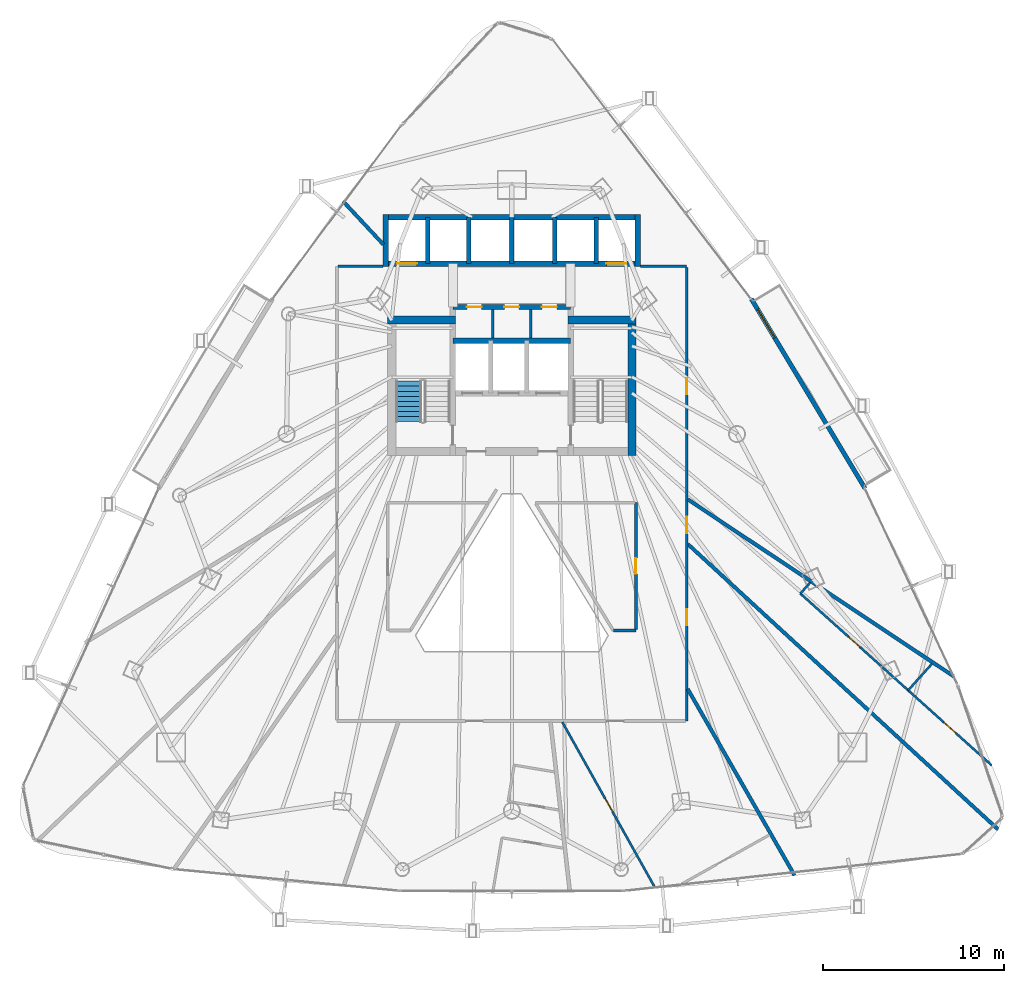
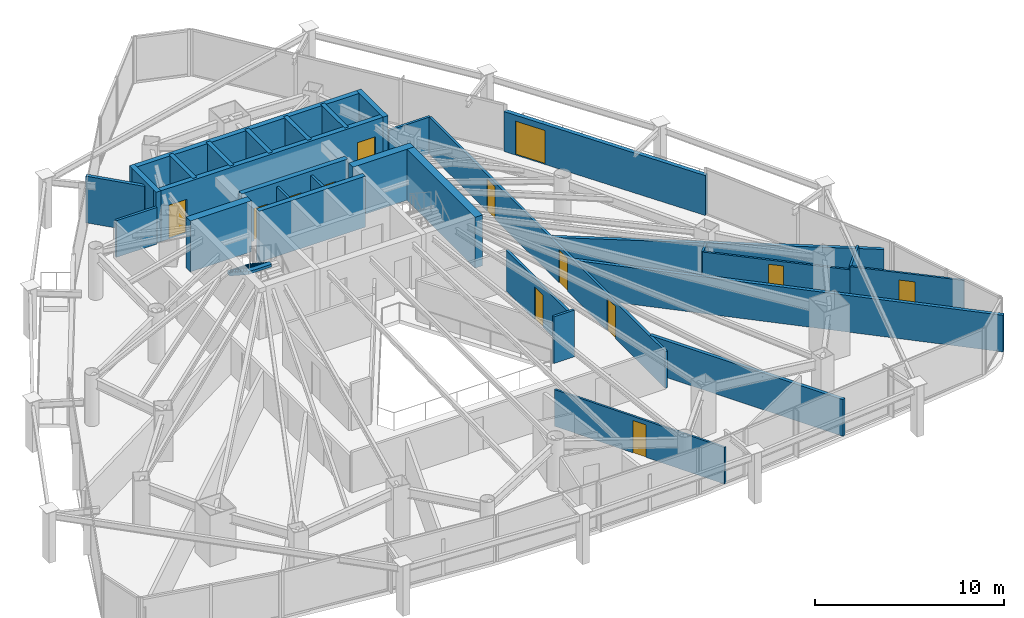
# One storey, part 29 of 33: 31 walls, 13 doors, 1 stair flight, 13 openings, 1 element without a shape of its own.
"""IFC4 building model written with IfcOpenShell, lengths in metres."""

from ifc_helpers import new_model, si_unit, direction, frame, frame_2d, origin, place, context, subcontext, project, spatial, polyline, rectangle, outline, extrude, material, layer, layer_set, type_object, element, fill, aggregate, save


model = new_model("IFC4")

# Units and contexts
model_context = context("Model", 3, precision=1e-05, world=origin(), true_north=direction((0.0, 1.0)))
body_context = subcontext(model_context, "Body", "Model", "MODEL_VIEW")
ifc_project = project(units=[si_unit("LENGTHUNIT", "METRE"), si_unit("AREAUNIT", "SQUARE_METRE"), si_unit("VOLUMEUNIT", "CUBIC_METRE"), si_unit("PLANEANGLEUNIT", "RADIAN"), si_unit("MASSUNIT", "GRAM", prefix="KILO")], contexts=[model_context])

# Site, building, storey
site_placement = place(None, origin())
site = spatial("IfcSite", under=ifc_project, at=site_placement, CompositionType="ELEMENT")
building_placement = place(site_placement, origin())
building = spatial("IfcBuilding", under=site, at=building_placement, Name="Orvanel Arch Residences", CompositionType="ELEMENT")
storey_placement = place(building_placement, frame((0.0, 0.0, 93.949951171875)))
storey = spatial("IfcBuildingStorey", under=building, at=storey_placement, Name="L26", CompositionType="ELEMENT", Elevation=93.949951171875)

# Wall, opening, door
ifc_material_1 = material(Name="Precast concrete N50 (50 MPa)", Category="concrete")
ifc_layer_1 = layer(ifc_material_1, 0.239990234375)
ifc_layer_set_1 = layer_set([ifc_layer_1], Name="Precast concrete N50 (50 MPa)")
wall_type_1 = type_object("IfcWallType", Name="EW-BAL-240", PredefinedType="SOLIDWALL", material=ifc_layer_set_1)
wall_1_placement = place(storey_placement, frame((52.5029296875, 24.6279296875, 0.0), z_axis=(0.0, 0.0, 1.0), x_axis=(-0.514369419392, 0.857568714678, 0.0)))
wall_1 = element("IfcWall", 1, at=wall_1_placement, inside=storey, type_object=wall_type_1, Name="L26 Balcony Threshold Wall Face 3", PredefinedType="SOLIDWALL", context=body_context, shape_type="SweptSolid", body=[
    extrude(rectangle(XDim=12.220458984375, YDim=0.239990234375, at=frame_2d((6.1103515625, 0.0))), origin(), (0.0, 0.0, 1.0), 2.583984375),
])
opening_1_placement = place(wall_1_placement, frame((9.722900390625, 0.0, 0.0)))
opening_1 = element("IfcOpeningElement", 2, at=opening_1_placement, cuts=wall_1, Name="Opening DB-180", PredefinedType="OPENING", context=body_context, shape_type="SweptSolid", body=[
    extrude(rectangle(XDim=1.800048828125, YDim=2.199951171875, at=frame_2d((0.89990234375, 1.10009765625))), frame((0.0, 0.1298828125, 0.0), z_axis=(0.0, -1.0, 0.0), x_axis=(1.0, 0.0, 0.0)), (0.0, 0.0, 1.0), 0.260009765625),
])
ifc_material_2 = material(Name="Bronze-anodised aluminium AA6063-T6", Category="aluminium")
door_type_1 = type_object("IfcDoorType", Name="DR-BAL-1800", OperationType="NOTDEFINED", PredefinedType="DOOR", material=ifc_material_2)
door_1_placement = place(opening_1_placement, origin())
door_1 = element("IfcDoor", 3, at=door_1_placement, inside=storey, type_object=door_type_1, Name="DR-L26-BAL-F3 L26 Planted Balcony Access Door Face 3", OperationType="SINGLE_SWING_RIGHT", OverallHeight=2.199951171875, OverallWidth=1.800048828125, PredefinedType="DOOR", context=body_context, shape_type="SweptSolid", body=[
    extrude(rectangle(XDim=1.800048828125, YDim=2.199951171875, at=frame_2d((0.89990234375, 1.10009765625))), frame((0.0, 0.02490234375, 0.0), z_axis=(0.0, -1.0, 0.0), x_axis=(1.0, 0.0, 0.0)), (0.0, 0.0, 1.0), 0.050048828125),
])
fill(opening_1, door_1)

# Walls
ifc_material_3 = material(Name="Concrete N50 (50 MPa)", Category="concrete")
ifc_layer_2 = layer(ifc_material_3, 0.25)
ifc_layer_set_2 = layer_set([ifc_layer_2], Name="Concrete N50 (50 MPa)")
wall_type_2 = type_object("IfcWallType", Name="SW-CORE-250", PredefinedType="SHEAR", material=ifc_layer_set_2)
for number, where, z_axis, x_axis, name in (
    (4, (28.35009765625, 37.050048828125, 0.0), (0.0, 0.0, 1.0), (0.0, 1.0, 0.0), "L26 Passenger Lift Inter-Shaft Wall P13"),
    (5, (30.625, 37.050048828125, 0.0), (0.0, 0.0, 1.0), (0.0, 1.0, 0.0), "L26 Passenger Lift Inter-Shaft Wall P35"),
    (6, (33.0, 37.050048828125, 0.0), (0.0, 0.0, 1.0), (0.0, 1.0, 0.0), "L26 Passenger Lift Inter-Shaft Wall P56"),
    (7, (35.375, 37.050048828125, 0.0), (0.0, 0.0, 1.0), (0.0, 1.0, 0.0), "L26 Passenger Lift Inter-Shaft Wall P64"),
    (8, (37.64990234375, 37.050048828125, 0.0), (0.0, 0.0, 1.0), (0.0, 1.0, 0.0), "L26 Passenger Lift Inter-Shaft Wall P42"),
):
    element("IfcWall", number, at=place(storey_placement, frame(where, z_axis=z_axis, x_axis=x_axis)), inside=storey, type_object=wall_type_2, Name=name, PredefinedType="SHEAR", context=body_context, shape_type="SweptSolid", body=[
        extrude(rectangle(XDim=2.550048828125, YDim=0.25, at=frame_2d((1.27490234375, 0.0))), origin(), (0.0, 0.0, 1.0), 3.300048828125),
    ])
ifc_material_4 = material(Name="Concrete S80 (80 MPa)", Category="concrete")
ifc_layer_3 = layer(ifc_material_4, 0.300048828125)
ifc_layer_set_3 = layer_set([ifc_layer_3], Name="Concrete S80 (80 MPa)")
wall_type_3 = type_object("IfcWallType", Name="SW-CORE-300", PredefinedType="SHEAR", material=ifc_layer_set_3)
wall_2_placement = place(storey_placement, frame((29.75, 32.800048828125, 0.0), z_axis=(0.0, 0.0, 1.0), x_axis=(1.0, 0.0, 0.0)))
element("IfcWall", 9, at=wall_2_placement, inside=storey, type_object=wall_type_3, Name="L26 Emergency Lift Back Core Shear Wall", PredefinedType="SHEAR", context=body_context, shape_type="SweptSolid", body=[
    extrude(rectangle(XDim=6.5, YDim=0.300048828125, at=frame_2d((3.25, 0.0))), origin(), (0.0, 0.0, 1.0), 3.300048828125),
])

# Wall, openings, doors
wall_3_placement = place(storey_placement, frame((29.75, 34.64990234375, 0.0), z_axis=(0.0, 0.0, 1.0), x_axis=(1.0, 0.0, 0.0)))
wall_3 = element("IfcWall", 10, at=wall_3_placement, inside=storey, type_object=wall_type_3, Name="L26 Core Service Band North Shear Wall", PredefinedType="SHEAR", context=body_context, shape_type="SweptSolid", body=[
    extrude(rectangle(XDim=6.5, YDim=0.300048828125, at=frame_2d((3.25, 0.0))), origin(), (0.0, 0.0, 1.0), 3.300048828125),
])
opening_2_placement = place(wall_3_placement, frame((0.764892578125, 0.0, 0.0)))
opening_2 = element("IfcOpeningElement", 11, at=opening_2_placement, cuts=wall_3, Name="Opening DS-082", PredefinedType="OPENING", context=body_context, shape_type="SweptSolid", body=[
    extrude(rectangle(XDim=0.820068359375, YDim=2.10009765625, at=frame_2d((0.41015625, 1.050048828125))), frame((0.0, 0.159912109375, 0.0), z_axis=(0.0, -1.0, 0.0), x_axis=(1.0, 0.0, 0.0)), (0.0, 0.0, 1.0), 0.320068359375),
])
opening_3_placement = place(wall_3_placement, frame((2.840087890625, 0.0, 0.0)))
opening_3 = element("IfcOpeningElement", 12, at=opening_3_placement, cuts=wall_3, Name="Opening DS-082", PredefinedType="OPENING", context=body_context, shape_type="SweptSolid", body=[
    extrude(rectangle(XDim=0.820068359375, YDim=2.10009765625, at=frame_2d((0.41015625, 1.050048828125))), frame((0.0, 0.159912109375, 0.0), z_axis=(0.0, -1.0, 0.0), x_axis=(1.0, 0.0, 0.0)), (0.0, 0.0, 1.0), 0.320068359375),
])
opening_4_placement = place(wall_3_placement, frame((4.9150390625, 0.0, 0.0)))
opening_4 = element("IfcOpeningElement", 13, at=opening_4_placement, cuts=wall_3, Name="Opening DS-082", PredefinedType="OPENING", context=body_context, shape_type="SweptSolid", body=[
    extrude(rectangle(XDim=0.820068359375, YDim=2.10009765625, at=frame_2d((0.41015625, 1.050048828125))), frame((0.0, 0.159912109375, 0.0), z_axis=(0.0, -1.0, 0.0), x_axis=(1.0, 0.0, 0.0)), (0.0, 0.0, 1.0), 0.320068359375),
])
ifc_material_5 = material(Name="Galvanised steel fire-resisting door assembly", Category="steel")
door_type_2 = type_object("IfcDoorType", Name="DR-SVC-820", OperationType="NOTDEFINED", PredefinedType="DOOR", material=ifc_material_5)
door_2_placement = place(opening_2_placement, origin())
door_2 = element("IfcDoor", 14, at=door_2_placement, inside=storey, type_object=door_type_2, Name="DR-L26-CSVC-1 L26 Housekeeping Store Door", OperationType="SINGLE_SWING_LEFT", OverallHeight=2.10009765625, OverallWidth=0.820068359375, PredefinedType="DOOR", context=body_context, shape_type="SweptSolid", body=[
    extrude(rectangle(XDim=0.820068359375, YDim=2.10009765625, at=frame_2d((0.41015625, 1.050048828125))), frame((0.0, 0.02490234375, 0.0), z_axis=(0.0, -1.0, 0.0), x_axis=(1.0, 0.0, 0.0)), (0.0, 0.0, 1.0), 0.050048828125),
])
fill(opening_2, door_2)
door_3_placement = place(opening_3_placement, origin())
door_3 = element("IfcDoor", 15, at=door_3_placement, inside=storey, type_object=door_type_2, Name="DR-L26-CSVC-2 L26 Cleaner's Store Door", OperationType="SINGLE_SWING_LEFT", OverallHeight=2.10009765625, OverallWidth=0.820068359375, PredefinedType="DOOR", context=body_context, shape_type="SweptSolid", body=[
    extrude(rectangle(XDim=0.820068359375, YDim=2.10009765625, at=frame_2d((0.41015625, 1.050048828125))), frame((0.0, 0.02490234375, 0.0), z_axis=(0.0, -1.0, 0.0), x_axis=(1.0, 0.0, 0.0)), (0.0, 0.0, 1.0), 0.050048828125),
])
fill(opening_3, door_3)
door_4_placement = place(opening_4_placement, origin())
door_4 = element("IfcDoor", 16, at=door_4_placement, inside=storey, type_object=door_type_2, Name="DR-L26-CSVC-3 L26 Comms Riser Store Door", OperationType="SINGLE_SWING_LEFT", OverallHeight=2.10009765625, OverallWidth=0.820068359375, PredefinedType="DOOR", context=body_context, shape_type="SweptSolid", body=[
    extrude(rectangle(XDim=0.820068359375, YDim=2.10009765625, at=frame_2d((0.41015625, 1.050048828125))), frame((0.0, 0.02490234375, 0.0), z_axis=(0.0, -1.0, 0.0), x_axis=(1.0, 0.0, 0.0)), (0.0, 0.0, 1.0), 0.050048828125),
])
fill(opening_4, door_4)

wall_4_placement = place(storey_placement, frame((40.10009765625, 37.050048828125, 0.0), z_axis=(0.0, 0.0, 1.0), x_axis=(-1.0, 0.0, 0.0)))
wall_4 = element("IfcWall", 17, at=wall_4_placement, inside=storey, type_object=wall_type_3, Name="L26 Passenger Lift Bank Front Shear Wall", PredefinedType="SHEAR", context=body_context, shape_type="SweptSolid", body=[
    extrude(rectangle(XDim=14.2001953125, YDim=0.300048828125, at=frame_2d((7.10009765625, 0.0))), origin(), (0.0, 0.0, 1.0), 3.300048828125),
])
opening_5_placement = place(wall_4_placement, frame((12.324951171875, 0.0, 0.0)))
opening_5 = element("IfcOpeningElement", 18, at=opening_5_placement, cuts=wall_4, Name="Opening LD-110", PredefinedType="OPENING", context=body_context, shape_type="SweptSolid", body=[
    extrude(rectangle(XDim=1.10009765625, YDim=2.199951171875, at=frame_2d((0.550048828125, 1.10009765625))), frame((0.0, 0.159912109375, 0.0), z_axis=(0.0, -1.0, 0.0), x_axis=(1.0, 0.0, 0.0)), (0.0, 0.0, 1.0), 0.320068359375),
])
opening_6_placement = place(wall_4_placement, frame((0.77490234375, 0.0, 0.0)))
opening_6 = element("IfcOpeningElement", 19, at=opening_6_placement, cuts=wall_4, Name="Opening LD-110", PredefinedType="OPENING", context=body_context, shape_type="SweptSolid", body=[
    extrude(rectangle(XDim=1.10009765625, YDim=2.199951171875, at=frame_2d((0.550048828125, 1.10009765625))), frame((0.0, 0.159912109375, 0.0), z_axis=(0.0, -1.0, 0.0), x_axis=(1.0, 0.0, 0.0)), (0.0, 0.0, 1.0), 0.320068359375),
])
door_type_3 = type_object("IfcDoorType", Name="DR-LFT-1100", OperationType="NOTDEFINED", PredefinedType="DOOR", material=ifc_material_5)
door_5_placement = place(opening_5_placement, origin())
door_5 = element("IfcDoor", 20, at=door_5_placement, inside=storey, type_object=door_type_3, Name="LD-P1-L26 L26 Passenger Lift P1 Sliding Landing Door", OperationType="DOUBLE_DOOR_SLIDING", OverallHeight=2.199951171875, OverallWidth=1.10009765625, PredefinedType="DOOR", context=body_context, shape_type="SweptSolid", body=[
    extrude(rectangle(XDim=1.10009765625, YDim=2.199951171875, at=frame_2d((0.550048828125, 1.10009765625))), frame((0.0, 0.02490234375, 0.0), z_axis=(0.0, -1.0, 0.0), x_axis=(1.0, 0.0, 0.0)), (0.0, 0.0, 1.0), 0.050048828125),
])
fill(opening_5, door_5)
door_6_placement = place(opening_6_placement, origin())
door_6 = element("IfcDoor", 21, at=door_6_placement, inside=storey, type_object=door_type_3, Name="LD-P2-L26 L26 Passenger Lift P2 Sliding Landing Door", OperationType="DOUBLE_DOOR_SLIDING", OverallHeight=2.199951171875, OverallWidth=1.10009765625, PredefinedType="DOOR", context=body_context, shape_type="SweptSolid", body=[
    extrude(rectangle(XDim=1.10009765625, YDim=2.199951171875, at=frame_2d((0.550048828125, 1.10009765625))), frame((0.0, 0.02490234375, 0.0), z_axis=(0.0, -1.0, 0.0), x_axis=(1.0, 0.0, 0.0)), (0.0, 0.0, 1.0), 0.050048828125),
])
fill(opening_6, door_6)

# Walls
wall_5_placement = place(storey_placement, frame((25.89990234375, 39.60009765625, 0.0), z_axis=(0.0, 0.0, 1.0), x_axis=(1.0, 0.0, 0.0)))
element("IfcWall", 22, at=wall_5_placement, inside=storey, type_object=wall_type_3, Name="L26 Passenger Lift Bank North Shear Wall", PredefinedType="SHEAR", context=body_context, shape_type="SweptSolid", body=[
    extrude(rectangle(XDim=14.2001953125, YDim=0.300048828125, at=frame_2d((7.10009765625, 0.0))), origin(), (0.0, 0.0, 1.0), 3.300048828125),
])
for number, where, z_axis, x_axis, name in (
    (23, (26.050048828125, 36.89990234375, 0.0), (0.0, 0.0, 1.0), (0.0, 1.0, 0.0), "L26 Passenger Lift Bank West Shear Wall"),
    (24, (39.949951171875, 36.89990234375, 0.0), (0.0, 0.0, 1.0), (0.0, 1.0, 0.0), "L26 Passenger Lift Bank East Shear Wall"),
):
    element("IfcWall", number, at=place(storey_placement, frame(where, z_axis=z_axis, x_axis=x_axis)), inside=storey, type_object=wall_type_3, Name=name, PredefinedType="SHEAR", context=body_context, shape_type="SweptSolid", body=[
        extrude(rectangle(XDim=2.85009765625, YDim=0.300048828125, at=frame_2d((1.425048828125, 0.0))), origin(), (0.0, 0.0, 1.0), 3.300048828125),
    ])
ifc_layer_4 = layer(ifc_material_4, 0.449951171875)
ifc_layer_set_4 = layer_set([ifc_layer_4], Name="Concrete S80 (80 MPa)")
wall_type_4 = type_object("IfcWallType", Name="SW-CORE-450", PredefinedType="SHEAR", material=ifc_layer_set_4)
wall_6_placement = place(storey_placement, frame((26.14990234375, 33.925048828125, 0.0), z_axis=(0.0, 0.0, 1.0), x_axis=(1.0, 0.0, 0.0)))
element("IfcWall", 25, at=wall_6_placement, inside=storey, type_object=wall_type_4, Name="L26 West Stair North Shear Wall", PredefinedType="SHEAR", context=body_context, shape_type="SweptSolid", body=[
    extrude(rectangle(XDim=3.75, YDim=0.449951171875, at=frame_2d((1.875, 0.0))), origin(), (0.0, 0.0, 1.0), 3.300048828125),
])
wall_7_placement = place(storey_placement, frame((39.625, 26.449951171875, 0.0), z_axis=(0.0, 0.0, 1.0), x_axis=(0.0, 1.0, 0.0)))
element("IfcWall", 26, at=wall_7_placement, inside=storey, type_object=wall_type_4, Name="L26 East Stair Shear Wall", PredefinedType="SHEAR", context=body_context, shape_type="SweptSolid", body=[
    extrude(rectangle(XDim=7.699951171875, YDim=0.449951171875, at=frame_2d((3.85009765625, 0.0))), origin(), (0.0, 0.0, 1.0), 3.300048828125),
])
wall_8_placement = place(storey_placement, frame((36.10009765625, 33.925048828125, 0.0), z_axis=(0.0, 0.0, 1.0), x_axis=(1.0, 0.0, 0.0)))
element("IfcWall", 27, at=wall_8_placement, inside=storey, type_object=wall_type_4, Name="L26 East Stair North Shear Wall", PredefinedType="SHEAR", context=body_context, shape_type="SweptSolid", body=[
    extrude(rectangle(XDim=3.75, YDim=0.449951171875, at=frame_2d((1.875, 0.0))), origin(), (0.0, 0.0, 1.0), 3.300048828125),
])
ifc_material_6 = material(Name="Fire-rated plasterboard lined steel stud partition", Category="steel")
ifc_layer_5 = layer(ifc_material_6, 0.14990234375)
ifc_layer_set_5 = layer_set([ifc_layer_5], Name="Fire-rated plasterboard lined steel stud partition")
wall_type_5 = type_object("IfcWallType", Name="W-COR-150", PredefinedType="PARTITIONING", material=ifc_layer_set_5)
wall_9_placement = place(storey_placement, frame((40.10009765625, 36.89990234375, 0.0), z_axis=(0.0, 0.0, 1.0), x_axis=(1.0, 0.0, 0.0)))
element("IfcWall", 28, at=wall_9_placement, inside=storey, type_object=wall_type_5, Name="L26 Corridor Fire-Rated Partition", PredefinedType="PARTITIONING", context=body_context, shape_type="SweptSolid", body=[
    extrude(rectangle(XDim=2.5498046875, YDim=0.14990234375, at=frame_2d((1.27490234375, 0.0))), origin(), (0.0, 0.0, 1.0), 2.373046875),
])

# Wall, openings, doors
wall_10_placement = place(storey_placement, frame((42.64990234375, 36.840087890625, 0.0), z_axis=(0.0, 0.0, 1.0), x_axis=(0.0, -1.0, 0.0)))
wall_10 = element("IfcWall", 29, at=wall_10_placement, inside=storey, type_object=wall_type_5, Name="L26 Corridor Fire-Rated Partition", PredefinedType="PARTITIONING", context=body_context, shape_type="SweptSolid", body=[
    extrude(rectangle(XDim=25.0400390625, YDim=0.14990234375, at=frame_2d((12.52001953125, 0.0))), origin(), (0.0, 0.0, 1.0), 2.373046875),
])
opening_7_placement = place(wall_10_placement, frame((6.114013671875, 0.0, 0.0)))
opening_7 = element("IfcOpeningElement", 30, at=opening_7_placement, cuts=wall_10, Name="Opening DI-088", PredefinedType="OPENING", context=body_context, shape_type="SweptSolid", body=[
    extrude(rectangle(XDim=0.8798828125, YDim=2.10009765625, at=frame_2d((0.43994140625, 1.050048828125))), frame((0.0, 0.0849609375, 0.0), z_axis=(0.0, -1.0, 0.0), x_axis=(1.0, 0.0, 0.0)), (0.0, 0.0, 1.0), 0.169921875),
])
opening_8_placement = place(wall_10_placement, frame((18.864013671875, 0.0, 0.0)))
opening_8 = element("IfcOpeningElement", 31, at=opening_8_placement, cuts=wall_10, Name="Opening DI-088", PredefinedType="OPENING", context=body_context, shape_type="SweptSolid", body=[
    extrude(rectangle(XDim=0.8798828125, YDim=2.10009765625, at=frame_2d((0.43994140625, 1.050048828125))), frame((0.0, 0.0849609375, 0.0), z_axis=(0.0, -1.0, 0.0), x_axis=(1.0, 0.0, 0.0)), (0.0, 0.0, 1.0), 0.169921875),
])
opening_9_placement = place(wall_10_placement, frame((13.764892578125, 0.0, 0.0)))
opening_9 = element("IfcOpeningElement", 32, at=opening_9_placement, cuts=wall_10, Name="Opening DA-092", PredefinedType="OPENING", context=body_context, shape_type="SweptSolid", body=[
    extrude(rectangle(XDim=0.919921875, YDim=2.14990234375, at=frame_2d((0.4599609375, 1.074951171875))), frame((0.0, 0.0849609375, 0.0), z_axis=(0.0, -1.0, 0.0), x_axis=(1.0, 0.0, 0.0)), (0.0, 0.0, 1.0), 0.169921875),
])
ifc_material_7 = material(Name="Solid-core European oak veneer fire door leaf", Category="wood")
door_type_4 = type_object("IfcDoorType", Name="DR-APT-920", OperationType="NOTDEFINED", PredefinedType="DOOR", material=ifc_material_7)
door_7_placement = place(opening_9_placement, origin())
door_7 = element("IfcDoor", 33, at=door_7_placement, inside=storey, type_object=door_type_4, Name="DR-L26-G-ENT L26 Studio G Entrance Door", OperationType="SINGLE_SWING_RIGHT", OverallHeight=2.14990234375, OverallWidth=0.919921875, PredefinedType="DOOR", context=body_context, shape_type="SweptSolid", body=[
    extrude(rectangle(XDim=0.919921875, YDim=2.14990234375, at=frame_2d((0.4599609375, 1.074951171875))), frame((0.0, 0.02490234375, 0.0), z_axis=(0.0, -1.0, 0.0), x_axis=(1.0, 0.0, 0.0)), (0.0, 0.0, 1.0), 0.050048828125),
])
fill(opening_9, door_7)
door_type_5 = type_object("IfcDoorType", Name="DR-INT-880", OperationType="NOTDEFINED", PredefinedType="DOOR", material=ifc_material_7)
door_8_placement = place(opening_7_placement, origin())
door_8 = element("IfcDoor", 34, at=door_8_placement, inside=storey, type_object=door_type_5, Name="DR-L26-STU25-1 L26 Resident Study Lounge 1 Door", OperationType="SINGLE_SWING_LEFT", OverallHeight=2.10009765625, OverallWidth=0.8798828125, PredefinedType="DOOR", context=body_context, shape_type="SweptSolid", body=[
    extrude(rectangle(XDim=0.8798828125, YDim=2.10009765625, at=frame_2d((0.43994140625, 1.050048828125))), frame((0.0, 0.02490234375, 0.0), z_axis=(0.0, -1.0, 0.0), x_axis=(1.0, 0.0, 0.0)), (0.0, 0.0, 1.0), 0.050048828125),
])
fill(opening_7, door_8)
door_9_placement = place(opening_8_placement, origin())
door_9 = element("IfcDoor", 35, at=door_9_placement, inside=storey, type_object=door_type_5, Name="DR-L26-STU25-2 L26 Resident Study Lounge 2 Door", OperationType="SINGLE_SWING_LEFT", OverallHeight=2.10009765625, OverallWidth=0.8798828125, PredefinedType="DOOR", context=body_context, shape_type="SweptSolid", body=[
    extrude(rectangle(XDim=0.8798828125, YDim=2.10009765625, at=frame_2d((0.43994140625, 1.050048828125))), frame((0.0, 0.02490234375, 0.0), z_axis=(0.0, -1.0, 0.0), x_axis=(1.0, 0.0, 0.0)), (0.0, 0.0, 1.0), 0.050048828125),
])
fill(opening_8, door_9)

# Walls
wall_11_placement = place(storey_placement, frame((23.409912109375, 36.89990234375, 0.0), z_axis=(0.0, 0.0, 1.0), x_axis=(1.0, 0.0, 0.0)))
element("IfcWall", 36, at=wall_11_placement, inside=storey, type_object=wall_type_5, Name="L26 Corridor Fire-Rated Partition", PredefinedType="PARTITIONING", context=body_context, shape_type="SweptSolid", body=[
    extrude(rectangle(XDim=2.489990234375, YDim=0.14990234375, at=frame_2d((1.2451171875, 0.0))), origin(), (0.0, 0.0, 1.0), 2.373046875),
])
wall_12_placement = place(storey_placement, frame((38.60400390625, 16.800048828125, 0.0), z_axis=(0.0, 0.0, 1.0), x_axis=(1.0, 0.0, 0.0)))
element("IfcWall", 37, at=wall_12_placement, inside=storey, type_object=wall_type_5, Name="L26 Corridor Fire-Rated Partition", PredefinedType="PARTITIONING", context=body_context, shape_type="SweptSolid", body=[
    extrude(rectangle(XDim=1.24609375, YDim=0.14990234375, at=frame_2d((0.623046875, 0.0))), origin(), (0.0, 0.0, 1.0), 3.02001953125),
])

# Wall, opening, door
wall_13_placement = place(storey_placement, frame((39.85009765625, 16.860107421875, 0.0), z_axis=(0.0, 0.0, 1.0), x_axis=(0.0, 1.0, 0.0)))
wall_13 = element("IfcWall", 38, at=wall_13_placement, inside=storey, type_object=wall_type_5, Name="L26 Corridor Fire-Rated Partition", PredefinedType="PARTITIONING", context=body_context, shape_type="SweptSolid", body=[
    extrude(rectangle(XDim=6.989990234375, YDim=0.14990234375, at=frame_2d((3.4951171875, 0.0))), origin(), (0.0, 0.0, 1.0), 2.629150390625),
])
opening_10_placement = place(wall_13_placement, frame((3.054931640625, 0.0, 0.0)))
opening_10 = element("IfcOpeningElement", 39, at=opening_10_placement, cuts=wall_13, Name="Opening DI-088", PredefinedType="OPENING", context=body_context, shape_type="SweptSolid", body=[
    extrude(rectangle(XDim=0.8798828125, YDim=2.10009765625, at=frame_2d((0.43994140625, 1.050048828125))), frame((0.0, 0.0849609375, 0.0), z_axis=(0.0, -1.0, 0.0), x_axis=(1.0, 0.0, 0.0)), (0.0, 0.0, 1.0), 0.169921875),
])
door_10_placement = place(opening_10_placement, origin())
door_10 = element("IfcDoor", 40, at=door_10_placement, inside=storey, type_object=door_type_5, Name="DR-L26-SHRD-FB8 L26 Co-Working Study Office H Door", OperationType="SINGLE_SWING_LEFT", OverallHeight=2.10009765625, OverallWidth=0.8798828125, PredefinedType="DOOR", context=body_context, shape_type="SweptSolid", body=[
    extrude(rectangle(XDim=0.8798828125, YDim=2.10009765625, at=frame_2d((0.43994140625, 1.050048828125))), frame((0.0, 0.02490234375, 0.0), z_axis=(0.0, -1.0, 0.0), x_axis=(1.0, 0.0, 0.0)), (0.0, 0.0, 1.0), 0.050048828125),
])
fill(opening_10, door_10)

# Walls
ifc_layer_6 = layer(ifc_material_6, 0.199951171875)
ifc_layer_set_6 = layer_set([ifc_layer_6], Name="Fire-rated plasterboard lined steel stud partition")
wall_type_6 = type_object("IfcWallType", Name="W-DEM-200", PredefinedType="PARTITIONING", material=ifc_layer_set_6)
wall_14_placement = place(storey_placement, frame((25.9150390625, 38.097900390625, 0.0), z_axis=(0.0, 0.0, 1.0), x_axis=(-0.682046951702, 0.731308386165, 0.0)))
element("IfcWall", 41, at=wall_14_placement, inside=storey, type_object=wall_type_6, Name="L26 Inter-Tenancy Acoustic Demising Wall", PredefinedType="PARTITIONING", context=body_context, shape_type="SweptSolid", body=[
    extrude(rectangle(XDim=3.27099609375, YDim=0.199951171875, at=frame_2d((1.635498046875, 0.0))), origin(), (0.0, 0.0, 1.0), 3.02001953125),
])
wall_15_placement = place(storey_placement, frame((57.39306640625, 14.262939453125, 0.0), z_axis=(0.0, 0.0, 1.0), x_axis=(-0.83243126042, 0.554128321488, 0.0)))
element("IfcWall", 42, at=wall_15_placement, inside=storey, type_object=wall_type_6, Name="L26 Inter-Tenancy Acoustic Demising Wall", PredefinedType="PARTITIONING", context=body_context, shape_type="SweptSolid", body=[
    extrude(rectangle(XDim=17.638916015625, YDim=0.199951171875, at=frame_2d((8.8193359375, 0.0))), origin(), (0.0, 0.0, 1.0), 2.373046875),
])
wall_16_placement = place(storey_placement, frame((48.60791015625, 3.279052734375, 0.0), z_axis=(0.0, 0.0, 1.0), x_axis=(-0.497428948928, 0.867504720891, 0.0)))
element("IfcWall", 43, at=wall_16_placement, inside=storey, type_object=wall_type_6, Name="L26 Inter-Tenancy Acoustic Demising Wall", PredefinedType="PARTITIONING", context=body_context, shape_type="SweptSolid", body=[
    extrude(rectangle(XDim=11.85693359375, YDim=0.199951171875, at=frame_2d((5.928466796875, 0.0))), origin(), (0.0, 0.0, 1.0), 2.373046875),
])
wall_17_placement = place(storey_placement, frame((42.7099609375, 21.570068359375, 0.0), z_axis=(0.0, 0.0, 1.0), x_axis=(0.736048495707, -0.67692880864, 0.0)))
element("IfcWall", 44, at=wall_17_placement, inside=storey, type_object=wall_type_6, Name="L26 Inter-Tenancy Acoustic Demising Wall", PredefinedType="PARTITIONING", context=body_context, shape_type="SweptSolid", body=[
    extrude(rectangle(XDim=23.2744140625, YDim=0.199951171875, at=frame_2d((11.63720703125, 0.0))), origin(), (0.0, 0.0, 1.0), 2.373046875),
])
ifc_layer_7 = layer(ifc_material_6, 0.14990234375)
ifc_layer_set_7 = layer_set([ifc_layer_7], Name="Fire-rated plasterboard lined steel stud partition")
wall_type_7 = type_object("IfcWallType", Name="W-ST-150", PredefinedType="PARTITIONING", material=ifc_layer_set_7)
for number, where, z_axis, x_axis, name in (
    (45, (31.949951171875, 32.93505859375, 0.0), (0.0, 0.0, 1.0), (0.0, 1.0, 0.0), "L26 Core Service Partition 1"),
    (46, (34.050048828125, 32.93505859375, 0.0), (0.0, 0.0, 1.0), (0.0, 1.0, 0.0), "L26 Core Service Partition 2"),
):
    element("IfcWall", number, at=place(storey_placement, frame(where, z_axis=z_axis, x_axis=x_axis)), inside=storey, type_object=wall_type_7, Name=name, PredefinedType="PARTITIONING", context=body_context, shape_type="SweptSolid", body=[
        extrude(rectangle(XDim=1.579833984375, YDim=0.14990234375, at=frame_2d((0.7900390625, 0.0))), origin(), (0.0, 0.0, 1.0), 3.02001953125),
    ])

# Wall, opening, door
ifc_material_8 = material(Name="Acoustic plasterboard lined twin-stud partition", Category="gypsum")
ifc_layer_8 = layer(ifc_material_8, 0.1201171875)
ifc_layer_set_8 = layer_set([ifc_layer_8], Name="Acoustic plasterboard lined twin-stud partition")
wall_type_8 = type_object("IfcWallType", Name="W-WET-120", PredefinedType="PARTITIONING", material=ifc_layer_set_8)
wall_18_placement = place(storey_placement, frame((40.923095703125, 2.56689453125, 0.0), z_axis=(0.0, 0.0, 1.0), x_axis=(-0.4884640488, 0.872584020613, 0.0)))
wall_18 = element("IfcWall", 47, at=wall_18_placement, inside=storey, type_object=wall_type_8, Name="L26 Studio D Bathroom Partition", PredefinedType="PARTITIONING", context=body_context, shape_type="SweptSolid", body=[
    extrude(rectangle(XDim=10.512451171875, YDim=0.1201171875, at=frame_2d((5.25634765625, 0.0))), origin(), (0.0, 0.0, 1.0), 2.373046875),
])
opening_11_placement = place(wall_18_placement, frame((4.845947265625, 0.0, 0.0)))
opening_11 = element("IfcOpeningElement", 48, at=opening_11_placement, cuts=wall_18, Name="Opening DW-082", PredefinedType="OPENING", context=body_context, shape_type="SweptSolid", body=[
    extrude(rectangle(XDim=0.820068359375, YDim=2.10009765625, at=frame_2d((0.41015625, 1.050048828125))), frame((0.0, 0.070068359375, 0.0), z_axis=(0.0, -1.0, 0.0), x_axis=(1.0, 0.0, 0.0)), (0.0, 0.0, 1.0), 0.14013671875),
])
door_type_6 = type_object("IfcDoorType", Name="DR-WET-820", OperationType="NOTDEFINED", PredefinedType="DOOR", material=ifc_material_7)
door_11_placement = place(opening_11_placement, origin())
door_11 = element("IfcDoor", 49, at=door_11_placement, inside=storey, type_object=door_type_6, Name="DR-L26-D-BATH L26 Studio D Bathroom Door", OperationType="SINGLE_SWING_RIGHT", OverallHeight=2.10009765625, OverallWidth=0.820068359375, PredefinedType="DOOR", context=body_context, shape_type="SweptSolid", body=[
    extrude(rectangle(XDim=0.820068359375, YDim=2.10009765625, at=frame_2d((0.41015625, 1.050048828125))), frame((0.0, 0.02490234375, 0.0), z_axis=(0.0, -1.0, 0.0), x_axis=(1.0, 0.0, 0.0)), (0.0, 0.0, 1.0), 0.050048828125),
])
fill(opening_11, door_11)

# Wall
wall_19_placement = place(storey_placement, frame((49.467041015625, 19.43701171875, 0.0), z_axis=(0.0, 0.0, 1.0), x_axis=(-0.667729657393, -0.744403858559, 0.0)))
element("IfcWall", 50, at=wall_19_placement, inside=storey, type_object=wall_type_8, Name="L26 Studio G Bathroom Partition", PredefinedType="PARTITIONING", context=body_context, shape_type="SweptSolid", body=[
    extrude(rectangle(XDim=0.808837890625, YDim=0.1201171875, at=frame_2d((0.404296875, 0.0))), origin(), (0.0, 0.0, 1.0), 2.373046875),
])

# Wall, opening, door
wall_20_placement = place(storey_placement, frame((48.927001953125, 18.8349609375, 0.0), z_axis=(0.0, 0.0, 1.0), x_axis=(0.744157434795, -0.668004275615, 0.0)))
wall_20 = element("IfcWall", 51, at=wall_20_placement, inside=storey, type_object=wall_type_8, Name="L26 Studio G Bathroom Partition", PredefinedType="PARTITIONING", context=body_context, shape_type="SweptSolid", body=[
    extrude(rectangle(XDim=7.99560546875, YDim=0.1201171875, at=frame_2d((3.997802734375, 0.0))), origin(), (0.0, 0.0, 1.0), 2.373046875),
])
opening_12_placement = place(wall_20_placement, frame((3.587890625, 0.0, 0.0)))
opening_12 = element("IfcOpeningElement", 52, at=opening_12_placement, cuts=wall_20, Name="Opening DW-082", PredefinedType="OPENING", context=body_context, shape_type="SweptSolid", body=[
    extrude(rectangle(XDim=0.820068359375, YDim=2.10009765625, at=frame_2d((0.41015625, 1.050048828125))), frame((0.0, 0.070068359375, 0.0), z_axis=(0.0, -1.0, 0.0), x_axis=(1.0, 0.0, 0.0)), (0.0, 0.0, 1.0), 0.14013671875),
])
door_12_placement = place(opening_12_placement, origin())
door_12 = element("IfcDoor", 53, at=door_12_placement, inside=storey, type_object=door_type_6, Name="DR-L26-G-BATH L26 Studio G Bathroom Door", OperationType="SINGLE_SWING_RIGHT", OverallHeight=2.10009765625, OverallWidth=0.820068359375, PredefinedType="DOOR", context=body_context, shape_type="SweptSolid", body=[
    extrude(rectangle(XDim=0.820068359375, YDim=2.10009765625, at=frame_2d((0.41015625, 1.050048828125))), frame((0.0, 0.02490234375, 0.0), z_axis=(0.0, -1.0, 0.0), x_axis=(1.0, 0.0, 0.0)), (0.0, 0.0, 1.0), 0.050048828125),
])
fill(opening_12, door_12)

wall_21_placement = place(storey_placement, frame((54.876953125, 13.493896484375, 0.0), z_axis=(0.0, 0.0, 1.0), x_axis=(0.744181011259, -0.667978010477, 0.0)))
wall_21 = element("IfcWall", 54, at=wall_21_placement, inside=storey, type_object=wall_type_8, Name="L26 Studio G Internal Partition", PredefinedType="PARTITIONING", context=body_context, shape_type="SweptSolid", body=[
    extrude(rectangle(XDim=6.1962890625, YDim=0.1201171875, at=frame_2d((3.09814453125, 0.0))), origin(), (0.0, 0.0, 1.0), 2.5791015625),
])
opening_13_placement = place(wall_21_placement, frame((2.657958984375, 0.0, 0.0)))
opening_13 = element("IfcOpeningElement", 55, at=opening_13_placement, cuts=wall_21, Name="Opening DI-088", PredefinedType="OPENING", context=body_context, shape_type="SweptSolid", body=[
    extrude(rectangle(XDim=0.8798828125, YDim=2.10009765625, at=frame_2d((0.43994140625, 1.050048828125))), frame((0.0, 0.070068359375, 0.0), z_axis=(0.0, -1.0, 0.0), x_axis=(1.0, 0.0, 0.0)), (0.0, 0.0, 1.0), 0.14013671875),
])
door_13_placement = place(opening_13_placement, origin())
door_13 = element("IfcDoor", 56, at=door_13_placement, inside=storey, type_object=door_type_5, Name="DR-L26-G-KIT L26 Studio G Kitchenette Door", OperationType="SINGLE_SWING_LEFT", OverallHeight=2.10009765625, OverallWidth=0.8798828125, PredefinedType="DOOR", context=body_context, shape_type="SweptSolid", body=[
    extrude(rectangle(XDim=0.8798828125, YDim=2.10009765625, at=frame_2d((0.43994140625, 1.050048828125))), frame((0.0, 0.02490234375, 0.0), z_axis=(0.0, -1.0, 0.0), x_axis=(1.0, 0.0, 0.0)), (0.0, 0.0, 1.0), 0.050048828125),
])
fill(opening_13, door_13)

# Wall
wall_22_placement = place(storey_placement, frame((56.193115234375, 14.9599609375, 0.0), z_axis=(0.0, 0.0, 1.0), x_axis=(-0.668039966909, -0.744125394414, 0.0)))
element("IfcWall", 57, at=wall_22_placement, inside=storey, type_object=wall_type_8, Name="L26 Studio G Bathroom Partition", PredefinedType="PARTITIONING", context=body_context, shape_type="SweptSolid", body=[
    extrude(rectangle(XDim=1.97021484375, YDim=0.1201171875, at=frame_2d((0.985107421875, 0.0))), origin(), (0.0, 0.0, 1.0), 2.5791015625),
])

# Stair, stair flight
stair_type = type_object("IfcStairType", Name="STR-DOG-184", PredefinedType="USERDEFINED", material=ifc_material_1)
stair_placement = place(storey_placement, origin())
stair = element("IfcStair", 58, at=stair_placement, inside=storey, type_object=stair_type, Name="L26 Fire-Isolated Core Exit Stair 1", ObjectType="TWO_RETURN_STAIR", PredefinedType="USERDEFINED")
stair_flight_type = type_object("IfcStairFlightType", Name="SFL-C1-184", PredefinedType="STRAIGHT", material=ifc_material_1)
stair_flight_placement = place(storey_placement, frame((27.31005859375, 30.56005859375, 1.650146484375), z_axis=(0.0, 0.0, 1.0), x_axis=(0.0, -1.0, 0.0)))
stair_flight = element("IfcStairFlight", 59, at=stair_flight_placement, type_object=stair_flight_type, Name="ST-1 flight 2", NumberOfRisers=9, NumberOfTreads=8, PredefinedType="STRAIGHT", RiserHeight=0.183333333, TreadLength=0.28, context=body_context, shape_type="SweptSolid", body=[
    extrude(outline(polyline([(0.0, 0.0), (0.0, 0.183349609375), (0.280029296875, 0.183349609375), (0.280029296875, 0.36669921875), (0.56005859375, 0.36669921875), (0.56005859375, 0.550048828125), (0.840087890625, 0.550048828125), (0.840087890625, 0.7333984375), (1.1201171875, 0.7333984375), (1.1201171875, 0.916748046875), (1.39990234375, 0.916748046875), (1.39990234375, 1.10009765625), (1.679931640625, 1.10009765625), (1.679931640625, 1.283447265625), (1.9599609375, 1.283447265625), (1.9599609375, 1.466552734375), (2.239990234375, 1.466552734375), (2.239990234375, 1.64990234375), (2.239990234375, 1.28759765625), (0.273681640625, 0.0), (0.0, 0.0)])), frame((0.0, 0.7099609375, 0.0), z_axis=(0.0, -1.0, 0.0), x_axis=(1.0, 0.0, 0.0)), (0.0, 0.0, 1.0), 1.419921875),
])
aggregate(stair, [stair_flight])

save(model, "model.ifc")
